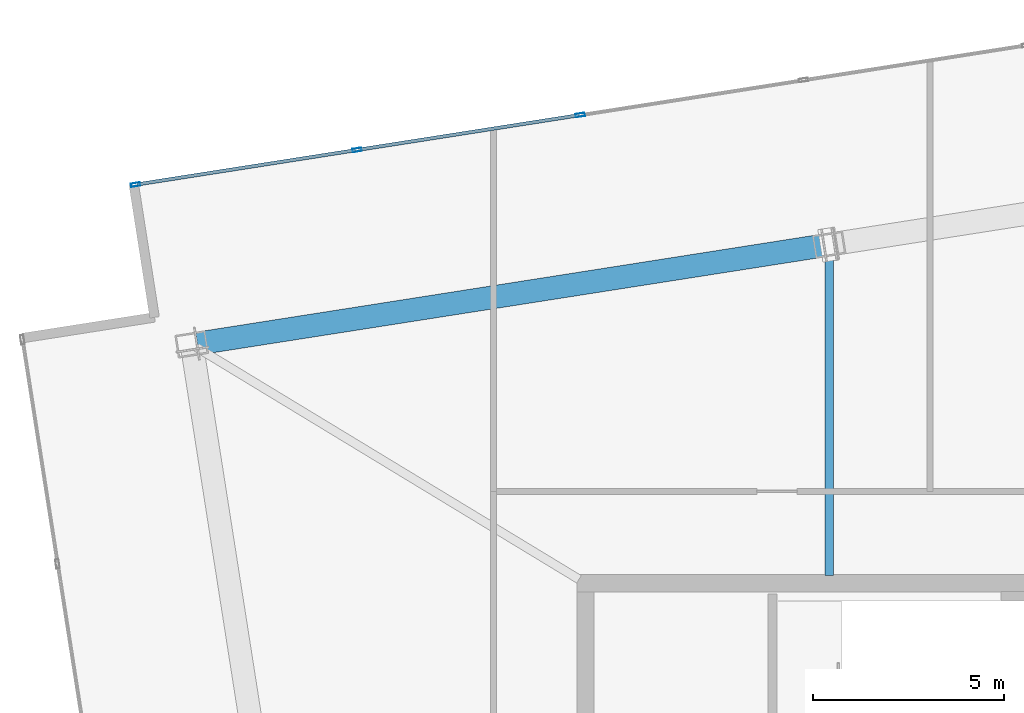
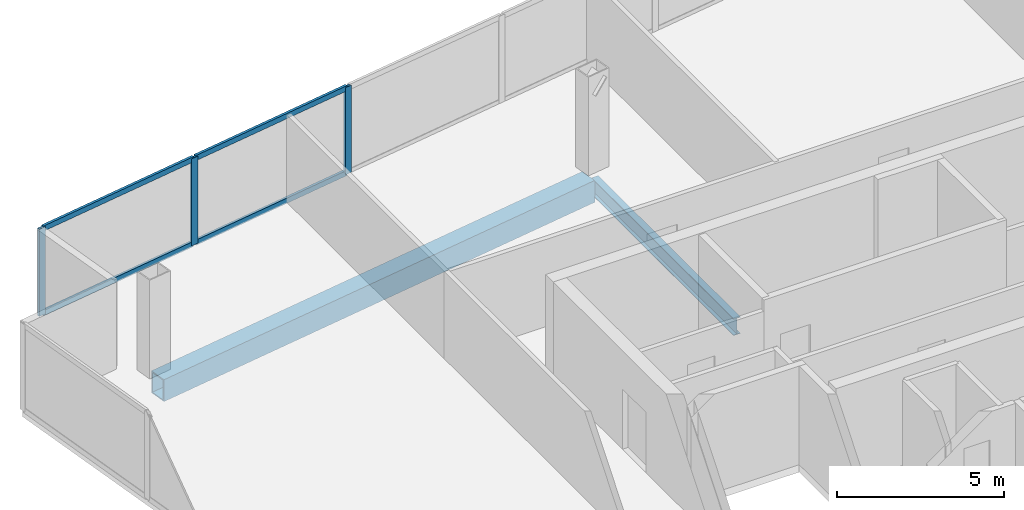
# One storey, part 10 of 17: 7 members, 2 beams, 1 element without a shape of its own.
"""IFC4 building model written with IfcOpenShell, lengths in metres."""

from ifc_helpers import new_model, si_unit, direction, frame, origin, origin_2d, place, context, subcontext, project, spatial, hollow_rectangle, i_section, extrude, material, material_profile, profile_set, type_object, element, aggregate, save


model = new_model("IFC4")

# Units and contexts
model_context = context("Model", 3, precision=1e-05, world=origin(), true_north=direction((0.0, 1.0)))
body_context = subcontext(model_context, "Body", "Model", "MODEL_VIEW")
ifc_project = project(units=[si_unit("LENGTHUNIT", "METRE"), si_unit("AREAUNIT", "SQUARE_METRE"), si_unit("VOLUMEUNIT", "CUBIC_METRE"), si_unit("PLANEANGLEUNIT", "RADIAN"), si_unit("MASSUNIT", "GRAM", prefix="KILO")], contexts=[model_context])

# Site, building, storey
site_placement = place(None, origin())
site = spatial("IfcSite", under=ifc_project, at=site_placement, CompositionType="ELEMENT")
building_placement = place(site_placement, origin())
building = spatial("IfcBuilding", under=site, at=building_placement, Name="Haldenkirk Collegiate Tower", CompositionType="ELEMENT")
storey_placement = place(building_placement, frame((0.0, 0.0, 371.39990234375)))
storey = spatial("IfcBuildingStorey", under=building, at=storey_placement, Name="L94", CompositionType="ELEMENT", Elevation=371.39990234375)

# Beams
ifc_material_1 = material(Name="Steel ASTM A992 Grade 50", Category="steel")
ifc_material_profile_1 = material_profile(ifc_material_1, i_section(OverallWidth=0.22998046875, OverallDepth=0.616943359375, WebThickness=0.01318359375, FlangeThickness=0.022216796875, at=origin_2d()), Name="W24X94")
ifc_profile_set_1 = profile_set([ifc_material_profile_1], Name="Steel ASTM A992 Grade 50")
beam_type_1 = type_object("IfcBeamType", Name="BM-GIRDER-W24X94", PredefinedType="BEAM", material=ifc_profile_set_1)
beam_1_placement = place(storey_placement, frame((33.3623046875, 42.694580078125, -0.578369140625), z_axis=(0.0, -1.0, 0.0), x_axis=(1.0, 0.0, 0.0)))
element("IfcBeam", 1, at=beam_1_placement, inside=storey, type_object=beam_type_1, Name="L94 crown radial floor beam 4", PredefinedType="BEAM", context=body_context, shape_type="SweptSolid", body=[
    extrude(i_section(OverallWidth=0.22998046875, OverallDepth=0.616943359375, WebThickness=0.01318359375, FlangeThickness=0.022216796875, at=origin_2d()), origin(), (0.0, 0.0, 1.0), 8.49462890625),
])
ifc_material_2 = material(Name="Steel ASTM A572 Grade 50", Category="steel")
ifc_material_profile_2 = material_profile(ifc_material_2, hollow_rectangle(XDim=0.60009765625, YDim=0.800048828125, WallThickness=0.0400390625, at=origin_2d()), Name="BOX800X600X40")
ifc_profile_set_2 = profile_set([ifc_material_profile_2], Name="Steel ASTM A572 Grade 50")
beam_type_2 = type_object("IfcBeamType", Name="BM-SPANDREL-BOX800X600X40", PredefinedType="SPANDREL", material=ifc_profile_set_2)
beam_2_placement = place(storey_placement, frame((33.214111328125, 42.821533203125, -0.669921875), z_axis=(-0.987959171117, -0.154714822192, 0.0), x_axis=(0.154714822192, -0.987959171117, 0.0)))
element("IfcBeam", 2, at=beam_2_placement, inside=storey, type_object=beam_type_2, Name="L94 Crown Ring Frame perimeter girder 4", PredefinedType="SPANDREL", context=body_context, shape_type="SweptSolid", body=[
    extrude(hollow_rectangle(XDim=0.60009765625, YDim=0.800048828125, WallThickness=0.0400390625, at=origin_2d()), origin(), (0.0, 0.0, 1.0), 16.550048828125),
])

# Curtain wall, members
ifc_material_3 = material(Name="Anodised architectural bronze aluminium", Category="aluminium")
curtain_wall_type = type_object("IfcCurtainWallType", Name="CW-SYS6-CROWN", PredefinedType="USERDEFINED", material=ifc_material_3)
curtain_wall_placement = place(storey_placement, origin())
curtain_wall = element("IfcCurtainWall", 3, at=curtain_wall_placement, inside=storey, type_object=curtain_wall_type, Name="L94 Closed crown ring ceramic-fritted bronze screen curtain wall", ObjectType="UNITISED CURTAIN WALL", PredefinedType="USERDEFINED")
ifc_material_profile_3 = material_profile(ifc_material_3, hollow_rectangle(XDim=0.090087890625, YDim=0.239990234375, WallThickness=0.0048828125, at=origin_2d()), Name="CW-MUL-06")
ifc_profile_set_3 = profile_set([ifc_material_profile_3], Name="Anodised architectural bronze aluminium")
member_type_1 = type_object("IfcMemberType", Name="CW-MUL-06", PredefinedType="MULLION", material=ifc_profile_set_3)
member_1_placement = place(storey_placement, frame((15.246826171875, 44.410888671875, 0.0), z_axis=(0.0, 0.0, 1.0), x_axis=(-0.154708982189, 0.987960085646, 0.0)))
member_1 = element("IfcMember", 4, at=member_1_placement, type_object=member_type_1, Name="CW-06 mullion 1", PredefinedType="MULLION", context=body_context, shape_type="SweptSolid", body=[
    extrude(hollow_rectangle(XDim=0.090087890625, YDim=0.239990234375, WallThickness=0.0048828125, at=origin_2d()), origin(), (0.0, 0.0, 1.0), 3.18017578125),
])
member_2_placement = place(storey_placement, frame((21.03125, 45.31689453125, 0.0), z_axis=(0.0, 0.0, 1.0), x_axis=(-0.154708982189, 0.987960085646, 0.0)))
member_2 = element("IfcMember", 5, at=member_2_placement, type_object=member_type_1, Name="CW-06 mullion 2", PredefinedType="MULLION", context=body_context, shape_type="SweptSolid", body=[
    extrude(hollow_rectangle(XDim=0.090087890625, YDim=0.239990234375, WallThickness=0.0048828125, at=origin_2d()), origin(), (0.0, 0.0, 1.0), 3.18017578125),
])
member_3_placement = place(storey_placement, frame((26.8603515625, 46.2294921875, 0.0), z_axis=(0.0, 0.0, 1.0), x_axis=(-0.154708982189, 0.987960085646, 0.0)))
member_3 = element("IfcMember", 6, at=member_3_placement, type_object=member_type_1, Name="CW-06 mullion 3", PredefinedType="MULLION", context=body_context, shape_type="SweptSolid", body=[
    extrude(hollow_rectangle(XDim=0.090087890625, YDim=0.239990234375, WallThickness=0.0048828125, at=origin_2d()), origin(), (0.0, 0.0, 1.0), 3.18017578125),
])
ifc_material_profile_4 = material_profile(ifc_material_3, hollow_rectangle(XDim=0.090087890625, YDim=0.18994140625, WallThickness=0.0048828125, at=origin_2d()), Name="CW-TRN-06")
ifc_profile_set_4 = profile_set([ifc_material_profile_4], Name="Anodised architectural bronze aluminium")
member_type_2 = type_object("IfcMemberType", Name="CW-TRN-06", PredefinedType="USERDEFINED", material=ifc_profile_set_4)
member_4_placement = place(storey_placement, frame((15.291259765625, 44.41796875, 0.045166015625), z_axis=(0.987961315074, 0.154701130951, 0.0), x_axis=(-0.154701130951, 0.987961315074, 0.0)))
member_4 = element("IfcMember", 7, at=member_4_placement, type_object=member_type_2, Name="CW-06 transom 1.1", ObjectType="TRANSOM", PredefinedType="USERDEFINED", context=body_context, shape_type="SweptSolid", body=[
    extrude(hollow_rectangle(XDim=0.090087890625, YDim=0.18994140625, WallThickness=0.0048828125, at=origin_2d()), origin(), (0.0, 0.0, 1.0), 5.764892578125),
])
member_5_placement = place(storey_placement, frame((15.291259765625, 44.41796875, 3.135009765625), z_axis=(0.987961315074, 0.154701130951, 0.0), x_axis=(-0.154701130951, 0.987961315074, 0.0)))
member_5 = element("IfcMember", 8, at=member_5_placement, type_object=member_type_2, Name="CW-06 transom 1.2", ObjectType="TRANSOM", PredefinedType="USERDEFINED", context=body_context, shape_type="SweptSolid", body=[
    extrude(hollow_rectangle(XDim=0.090087890625, YDim=0.18994140625, WallThickness=0.0048828125, at=origin_2d()), origin(), (0.0, 0.0, 1.0), 5.764892578125),
])
member_6_placement = place(storey_placement, frame((21.07568359375, 45.32373046875, 0.045166015625), z_axis=(0.987958095237, 0.154721692257, 0.0), x_axis=(-0.154721692257, 0.987958095237, 0.0)))
member_6 = element("IfcMember", 9, at=member_6_placement, type_object=member_type_2, Name="CW-06 transom 2.1", ObjectType="TRANSOM", PredefinedType="USERDEFINED", context=body_context, shape_type="SweptSolid", body=[
    extrude(hollow_rectangle(XDim=0.090087890625, YDim=0.18994140625, WallThickness=0.0048828125, at=origin_2d()), origin(), (0.0, 0.0, 1.0), 5.81005859375),
])
member_7_placement = place(storey_placement, frame((21.07568359375, 45.32373046875, 3.135009765625), z_axis=(0.987958095237, 0.154721692257, 0.0), x_axis=(-0.154721692257, 0.987958095237, 0.0)))
member_7 = element("IfcMember", 10, at=member_7_placement, type_object=member_type_2, Name="CW-06 transom 2.2", ObjectType="TRANSOM", PredefinedType="USERDEFINED", context=body_context, shape_type="SweptSolid", body=[
    extrude(hollow_rectangle(XDim=0.090087890625, YDim=0.18994140625, WallThickness=0.0048828125, at=origin_2d()), origin(), (0.0, 0.0, 1.0), 5.81005859375),
])
aggregate(curtain_wall, [member_1, member_2, member_3, member_4, member_5, member_6, member_7])

save(model, "model.ifc")
